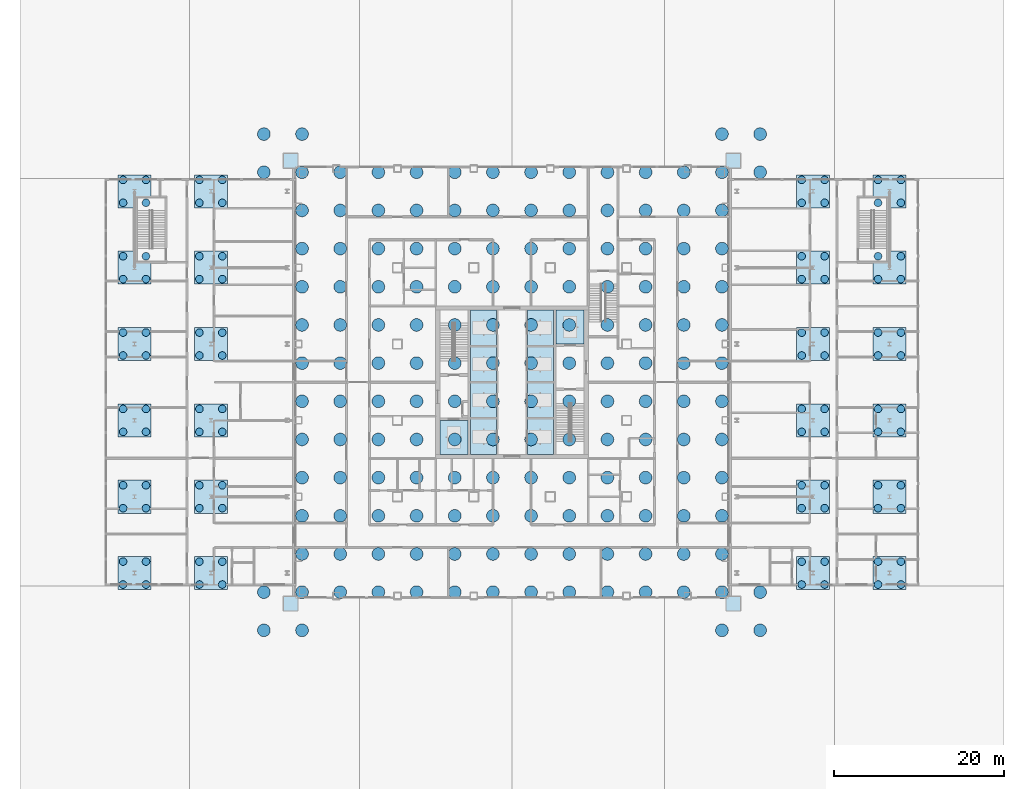
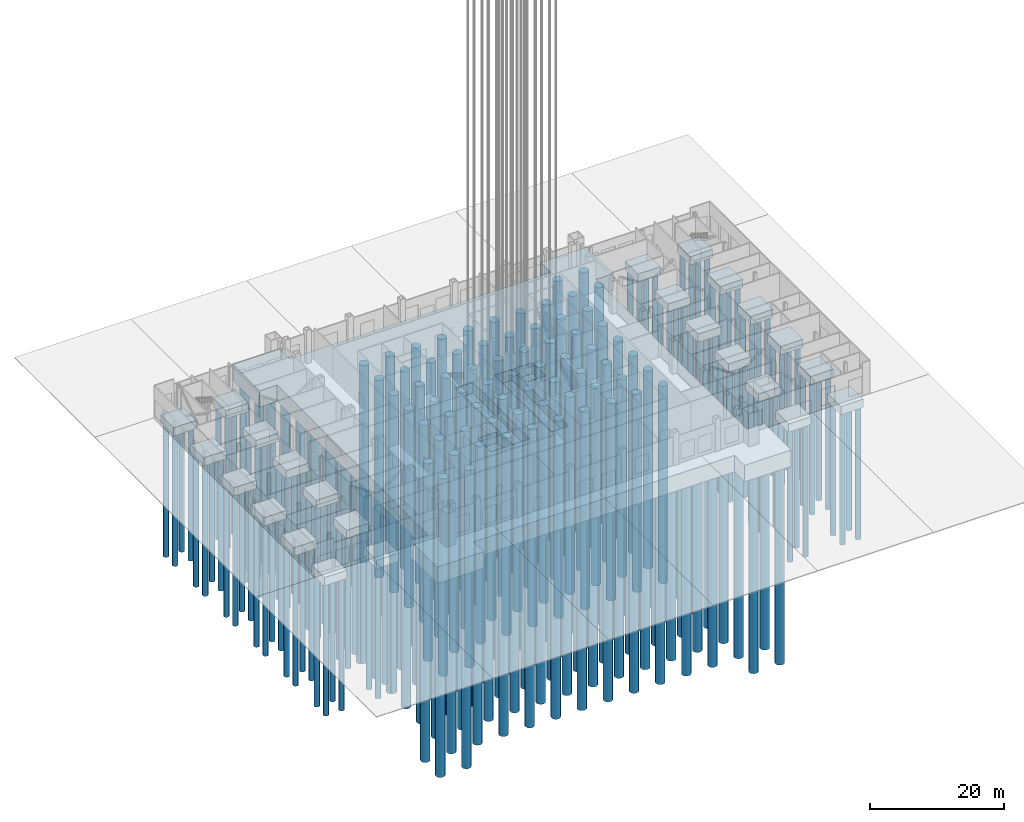
# One storey, part 1 of 36: 252 piles, 29 footings.
"""IFC4 building model written with IfcOpenShell, lengths in metres."""

import ifcopenshell
import ifcopenshell.guid

model = None  # the IFC model being written
_history = None  # IfcOwnerHistory: only IFC2X3 demands one
_inside = {}  # id of a spatial element -> (the spatial element, [elements in it])
_under = {}  # id of a project, library or spatial element -> (it, [spatial elements below it])
_declared = {}  # id of a project -> (the project, [libraries it declares])
_typed = {}  # id of a type object -> (the type object, [elements of that type])
_made_of = {}  # id of a material, layer set ... -> (it, [elements and type objects made of it])


def new_model(schema):
    """Start an empty IFC model of exactly this schema.

    Asked for "IFC4X3", IfcOpenShell would pick the latest addendum, in which some entities
    have other attributes; the version numbers below select the first issue.
    IFC2X3 requires an IfcOwnerHistory on every rooted entity: one is made here for all.
    """
    global model, _history
    if schema == "IFC4X3":
        model = ifcopenshell.file(schema_version=(4, 3, 0, 0))
    else:
        model = ifcopenshell.file(schema=schema)
    _inside.clear()
    _under.clear()
    _declared.clear()
    _typed.clear()
    _made_of.clear()
    _history = None
    if model.schema == "IFC2X3":
        org = make("IfcOrganization", Name="unknown")
        user = make(
            "IfcPersonAndOrganization",
            ThePerson=make("IfcPerson", FamilyName="unknown"),
            TheOrganization=org,
        )
        app = make(
            "IfcApplication",
            ApplicationDeveloper=org,
            Version="unknown",
            ApplicationFullName="unknown",
            ApplicationIdentifier="unknown",
        )
        _history = make(
            "IfcOwnerHistory",
            OwningUser=user,
            OwningApplication=app,
            ChangeAction="ADDED",
            CreationDate=0,
        )
    return model


def make(cls, **values):
    """One entity of the class cls with the attributes given. An attribute that is None is left unset."""
    return model.create_entity(
        cls, **{name: value for name, value in values.items() if value is not None}
    )


def rooted(cls, **values):
    """An entity with a GlobalId (a new one), such as an element, a storey or a relation."""
    return make(cls, GlobalId=ifcopenshell.guid.new(), OwnerHistory=_history, **values)


def si_unit(unit_type, name, prefix=None):
    """IfcSIUnit, for example si_unit("LENGTHUNIT", "METRE", prefix="MILLI")."""
    return make("IfcSIUnit", UnitType=unit_type, Prefix=prefix, Name=name)


def assignment(units):
    """IfcUnitAssignment: the units of a project."""
    return None if units is None else make("IfcUnitAssignment", Units=units)


def point(xyz):
    """IfcCartesianPoint."""
    return None if xyz is None else make("IfcCartesianPoint", Coordinates=xyz)


def direction(xyz):
    """IfcDirection."""
    return None if xyz is None else make("IfcDirection", DirectionRatios=xyz)


def frame(location, z_axis=None, x_axis=None):
    """IfcAxis2Placement3D, a coordinate frame: its origin and axes. An axis left out is left unset."""
    return make(
        "IfcAxis2Placement3D",
        Location=point(location),
        Axis=direction(z_axis),
        RefDirection=direction(x_axis),
    )


def frame_2d(location, x_axis=None):
    """IfcAxis2Placement2D, a coordinate frame in the plane: its origin and x axis."""
    return make(
        "IfcAxis2Placement2D", Location=point(location), RefDirection=direction(x_axis)
    )


def origin():
    """The frame at (0, 0, 0) with its axes left unset."""
    return frame((0.0, 0.0, 0.0))


def origin_2d():
    """The frame at (0, 0) in the plane with its x axis left unset."""
    return frame_2d((0.0, 0.0))


def place(relative_to, where):
    """IfcLocalPlacement: puts the frame where relative to a parent placement (None: the world)."""
    return make(
        "IfcLocalPlacement", PlacementRelTo=relative_to, RelativePlacement=where
    )


def context(
    kind, dimensions, precision=None, world=None, true_north=None, identifier=None
):
    """IfcGeometricRepresentationContext, for example the 3D "Model" context."""
    return make(
        "IfcGeometricRepresentationContext",
        ContextIdentifier=identifier,
        ContextType=kind,
        CoordinateSpaceDimension=dimensions,
        Precision=precision,
        WorldCoordinateSystem=world,
        TrueNorth=true_north,
    )


def subcontext(parent, identifier, kind, view, scale=None):
    """IfcGeometricRepresentationSubContext, for example "Body" below "Model"."""
    return make(
        "IfcGeometricRepresentationSubContext",
        ContextIdentifier=identifier,
        ContextType=kind,
        ParentContext=parent,
        TargetScale=scale,
        TargetView=view,
    )


def project(units=None, contexts=None):
    """IfcProject with its units and contexts."""
    return rooted(
        "IfcProject",
        Name="project",
        RepresentationContexts=contexts,
        UnitsInContext=assignment(units),
    )


def spatial(cls, under=None, at=None, **own):
    """A site, building, storey or space (cls), placed at a placement, below another one or the project."""
    s = rooted(cls, ObjectPlacement=at, **own)
    if under is not None:
        _under.setdefault(under.id(), (under, []))[1].append(s)
    return s


def polyline(points):
    """IfcPolyline through the points."""
    return make("IfcPolyline", Points=[point(p) for p in points])


def profile(cls, at=None, kind="AREA", **sizes):
    """A parametric profile (cls). Its sizes go by their IFC names, for example OverallWidth=200.0."""
    return make(cls, ProfileType=kind, Position=at, **sizes)


def rectangle(**sizes):
    """IfcRectangleProfileDef."""
    return profile("IfcRectangleProfileDef", **sizes)


def circle(**sizes):
    """IfcCircleProfileDef."""
    return profile("IfcCircleProfileDef", **sizes)


def outline(outer, holes=None, kind="AREA"):
    """IfcArbitraryClosedProfileDef: a profile drawn as a closed curve; with holes, ...WithVoids."""
    if holes is None:
        return make("IfcArbitraryClosedProfileDef", ProfileType=kind, OuterCurve=outer)
    return make(
        "IfcArbitraryProfileDefWithVoids",
        ProfileType=kind,
        OuterCurve=outer,
        InnerCurves=holes,
    )


def extrude(swept, where, along, depth):
    """IfcExtrudedAreaSolid: the profile swept, set in the frame where, extruded along a direction by depth."""
    return make(
        "IfcExtrudedAreaSolid",
        SweptArea=swept,
        Position=where,
        ExtrudedDirection=direction(along),
        Depth=depth,
    )


def shape(context_of_items, identifier, shape_type, items):
    """IfcShapeRepresentation: the items that make up one representation, for example the "Body"."""
    return make(
        "IfcShapeRepresentation",
        ContextOfItems=context_of_items,
        RepresentationIdentifier=identifier,
        RepresentationType=shape_type,
        Items=items,
    )


def material(Name=None, Category=None):
    """IfcMaterial."""
    return make("IfcMaterial", Name=Name, Category=Category)


def layer(
    of_material, thickness, ventilated=None, Name=None, Category=None, Priority=None
):
    """IfcMaterialLayer: one layer of a wall or slab, of a material (None: an air gap)."""
    return make(
        "IfcMaterialLayer",
        Material=of_material,
        LayerThickness=thickness,
        IsVentilated=ventilated,
        Name=Name,
        Category=Category,
        Priority=Priority,
    )


def layer_set(layers, Name=None):
    """IfcMaterialLayerSet."""
    return make("IfcMaterialLayerSet", MaterialLayers=layers, LayerSetName=Name)


def material_profile(
    of_material, cross_section, Name=None, Category=None, Priority=None
):
    """IfcMaterialProfile: a cross section and its material."""
    return make(
        "IfcMaterialProfile",
        Name=Name,
        Material=of_material,
        Profile=cross_section,
        Priority=Priority,
        Category=Category,
    )


def profile_set(profiles, Name=None, composite=None):
    """IfcMaterialProfileSet."""
    return make(
        "IfcMaterialProfileSet",
        Name=Name,
        MaterialProfiles=profiles,
        CompositeProfile=composite,
    )


def made_of(thing, what):
    """Note that an element or type object is made of a material, layer set ...; save() writes the relation."""
    if what is not None:
        _made_of.setdefault(what.id(), (what, []))[1].append(thing)
    return thing


def type_object(cls, material=None, **own):
    """A type object (cls), such as IfcWallType, which elements share."""
    return made_of(rooted(cls, **own), material)


def element(
    cls,
    number,
    at=None,
    inside=None,
    cuts=None,
    type_object=None,
    material=None,
    context=None,
    identifier="Body",
    shape_type=None,
    held_by="IfcProductDefinitionShape",
    body=None,
    shapes=None,
    **own,
):
    """One element of the class cls, such as IfcWall. Its Tag is "e" and its number.

    at: its placement. inside: the storey or other place that contains it. cuts: it is an
    opening in that element (IfcRelVoidsElement). A single representation is given by context,
    identifier, shape_type and body (its items); several are given by shapes. held_by: the class
    of the entity that holds the representations. save() writes the other relations.
    """
    e = rooted(cls, Tag="e%d" % number, ObjectPlacement=at, **own)
    if body is not None:
        shapes = [shape(context, identifier, shape_type, body)]
    if shapes is not None:
        e.Representation = make(held_by, Representations=shapes)
    if inside is not None:
        _inside.setdefault(inside.id(), (inside, []))[1].append(e)
    if cuts is not None:
        rooted(
            "IfcRelVoidsElement", RelatingBuildingElement=cuts, RelatedOpeningElement=e
        )
    if type_object is not None:
        _typed.setdefault(type_object.id(), (type_object, []))[1].append(e)
    return made_of(e, material)


def aggregate(whole, parts):
    """IfcRelAggregates: a whole, such as a stair, and the parts it consists of."""
    return rooted("IfcRelAggregates", RelatingObject=whole, RelatedObjects=parts)


def save(model, path):
    """Write the relations noted so far, then the file.

    IfcRelAggregates (storeys below a building ...), IfcRelContainedInSpatialStructure (elements
    in a storey), IfcRelDefinesByType, IfcRelAssociatesMaterial and IfcRelDeclares: one each for
    every whole, place, type object, material and project.
    """
    for whole, parts in _under.values():
        aggregate(whole, parts)
    for where, things in _inside.values():
        rooted(
            "IfcRelContainedInSpatialStructure",
            RelatedElements=things,
            RelatingStructure=where,
        )
    for kind, things in _typed.values():
        rooted("IfcRelDefinesByType", RelatedObjects=things, RelatingType=kind)
    for what, things in _made_of.values():
        rooted("IfcRelAssociatesMaterial", RelatedObjects=things, RelatingMaterial=what)
    for by, libraries in _declared.values():
        rooted("IfcRelDeclares", RelatingContext=by, RelatedDefinitions=libraries)
    model.write(path)


model = new_model("IFC4")

# Units and contexts
model_context = context("Model", 3, precision=1e-05, world=origin(), true_north=direction((0.0, 1.0)))
body_context = subcontext(model_context, "Body", "Model", "MODEL_VIEW")
ifc_project = project(units=[si_unit("LENGTHUNIT", "METRE"), si_unit("AREAUNIT", "SQUARE_METRE"), si_unit("VOLUMEUNIT", "CUBIC_METRE"), si_unit("PLANEANGLEUNIT", "RADIAN"), si_unit("MASSUNIT", "GRAM", prefix="KILO")], contexts=[model_context])

# Site, building, storey
site_placement = place(None, origin())
site = spatial("IfcSite", under=ifc_project, at=site_placement, CompositionType="ELEMENT")
building_placement = place(site_placement, origin())
building = spatial("IfcBuilding", under=site, at=building_placement, Name="Malebo Sky Hospital", CompositionType="ELEMENT")
storey_placement = place(building_placement, origin())
storey = spatial("IfcBuildingStorey", under=building, at=storey_placement, Name="L00", CompositionType="ELEMENT", Elevation=0.0)

# Piles
ifc_material_1 = material(Name="Concrete C35/45", Category="concrete")
ifc_material_profile_1 = material_profile(ifc_material_1, circle(Radius=0.75, at=origin_2d()), Name="BP 1500")
ifc_profile_set_1 = profile_set([ifc_material_profile_1], Name="Concrete C35/45")
pile_type_1 = type_object("IfcPileType", Name="BORED PILE 1500", PredefinedType="BORED", material=ifc_profile_set_1)
for number, where, z_axis, x_axis, name in (
    (1, (35.25, 37.25, -3.25), (0.0, 0.0, -1.0), (1.0, 0.0, 0.0), "Raft pile 1"),
    (2, (39.75, 37.25, -3.25), (0.0, 0.0, -1.0), (1.0, 0.0, 0.0), "Raft pile 2"),
    (3, (44.25, 37.25, -3.25), (0.0, 0.0, -1.0), (1.0, 0.0, 0.0), "Raft pile 3"),
    (4, (48.75, 37.25, -3.25), (0.0, 0.0, -1.0), (1.0, 0.0, 0.0), "Raft pile 4"),
    (5, (53.25, 37.25, -3.25), (0.0, 0.0, -1.0), (1.0, 0.0, 0.0), "Raft pile 5"),
    (6, (57.75, 37.25, -3.25), (0.0, 0.0, -1.0), (1.0, 0.0, 0.0), "Raft pile 6"),
    (7, (62.25, 37.25, -3.25), (0.0, 0.0, -1.0), (1.0, 0.0, 0.0), "Raft pile 7"),
    (8, (66.75, 37.25, -3.25), (0.0, 0.0, -1.0), (1.0, 0.0, 0.0), "Raft pile 8"),
    (9, (71.25, 37.25, -3.25), (0.0, 0.0, -1.0), (1.0, 0.0, 0.0), "Raft pile 9"),
    (10, (75.75, 37.25, -3.25), (0.0, 0.0, -1.0), (1.0, 0.0, 0.0), "Raft pile 10"),
    (11, (80.25, 37.25, -3.25), (0.0, 0.0, -1.0), (1.0, 0.0, 0.0), "Raft pile 11"),
    (12, (84.75, 37.25, -3.25), (0.0, 0.0, -1.0), (1.0, 0.0, 0.0), "Raft pile 12"),
    (13, (35.25, 41.75, -3.25), (0.0, 0.0, -1.0), (1.0, 0.0, 0.0), "Raft pile 13"),
    (14, (39.75, 41.75, -3.25), (0.0, 0.0, -1.0), (1.0, 0.0, 0.0), "Raft pile 14"),
    (15, (44.25, 41.75, -3.25), (0.0, 0.0, -1.0), (1.0, 0.0, 0.0), "Raft pile 15"),
    (16, (48.75, 41.75, -3.25), (0.0, 0.0, -1.0), (1.0, 0.0, 0.0), "Raft pile 16"),
    (17, (53.25, 41.75, -3.25), (0.0, 0.0, -1.0), (1.0, 0.0, 0.0), "Raft pile 17"),
    (18, (57.75, 41.75, -3.25), (0.0, 0.0, -1.0), (1.0, 0.0, 0.0), "Raft pile 18"),
    (19, (62.25, 41.75, -3.25), (0.0, 0.0, -1.0), (1.0, 0.0, 0.0), "Raft pile 19"),
    (20, (66.75, 41.75, -3.25), (0.0, 0.0, -1.0), (1.0, 0.0, 0.0), "Raft pile 20"),
    (21, (71.25, 41.75, -3.25), (0.0, 0.0, -1.0), (1.0, 0.0, 0.0), "Raft pile 21"),
    (22, (75.75, 41.75, -3.25), (0.0, 0.0, -1.0), (1.0, 0.0, 0.0), "Raft pile 22"),
    (23, (80.25, 41.75, -3.25), (0.0, 0.0, -1.0), (1.0, 0.0, 0.0), "Raft pile 23"),
    (24, (84.75, 41.75, -3.25), (0.0, 0.0, -1.0), (1.0, 0.0, 0.0), "Raft pile 24"),
    (25, (35.25, 46.25, -3.25), (0.0, 0.0, -1.0), (1.0, 0.0, 0.0), "Raft pile 25"),
    (26, (39.75, 46.25, -3.25), (0.0, 0.0, -1.0), (1.0, 0.0, 0.0), "Raft pile 26"),
    (27, (44.25, 46.25, -3.25), (0.0, 0.0, -1.0), (1.0, 0.0, 0.0), "Raft pile 27"),
    (28, (48.75, 46.25, -3.25), (0.0, 0.0, -1.0), (1.0, 0.0, 0.0), "Raft pile 28"),
    (29, (53.25, 46.25, -3.25), (0.0, 0.0, -1.0), (1.0, 0.0, 0.0), "Raft pile 29"),
    (30, (57.75, 46.25, -3.25), (0.0, 0.0, -1.0), (1.0, 0.0, 0.0), "Raft pile 30"),
    (31, (62.25, 46.25, -3.25), (0.0, 0.0, -1.0), (1.0, 0.0, 0.0), "Raft pile 31"),
    (32, (66.75, 46.25, -3.25), (0.0, 0.0, -1.0), (1.0, 0.0, 0.0), "Raft pile 32"),
    (33, (71.25, 46.25, -3.25), (0.0, 0.0, -1.0), (1.0, 0.0, 0.0), "Raft pile 33"),
    (34, (75.75, 46.25, -3.25), (0.0, 0.0, -1.0), (1.0, 0.0, 0.0), "Raft pile 34"),
    (35, (80.25, 46.25, -3.25), (0.0, 0.0, -1.0), (1.0, 0.0, 0.0), "Raft pile 35"),
    (36, (84.75, 46.25, -3.25), (0.0, 0.0, -1.0), (1.0, 0.0, 0.0), "Raft pile 36"),
    (37, (35.25, 50.75, -3.25), (0.0, 0.0, -1.0), (1.0, 0.0, 0.0), "Raft pile 37"),
    (38, (39.75, 50.75, -3.25), (0.0, 0.0, -1.0), (1.0, 0.0, 0.0), "Raft pile 38"),
    (39, (44.25, 50.75, -3.25), (0.0, 0.0, -1.0), (1.0, 0.0, 0.0), "Raft pile 39"),
    (40, (48.75, 50.75, -3.25), (0.0, 0.0, -1.0), (1.0, 0.0, 0.0), "Raft pile 40"),
    (41, (53.25, 50.75, -3.25), (0.0, 0.0, -1.0), (1.0, 0.0, 0.0), "Raft pile 41"),
    (42, (57.75, 50.75, -3.25), (0.0, 0.0, -1.0), (1.0, 0.0, 0.0), "Raft pile 42"),
    (43, (62.25, 50.75, -3.25), (0.0, 0.0, -1.0), (1.0, 0.0, 0.0), "Raft pile 43"),
    (44, (66.75, 50.75, -3.25), (0.0, 0.0, -1.0), (1.0, 0.0, 0.0), "Raft pile 44"),
    (45, (71.25, 50.75, -3.25), (0.0, 0.0, -1.0), (1.0, 0.0, 0.0), "Raft pile 45"),
    (46, (75.75, 50.75, -3.25), (0.0, 0.0, -1.0), (1.0, 0.0, 0.0), "Raft pile 46"),
    (47, (80.25, 50.75, -3.25), (0.0, 0.0, -1.0), (1.0, 0.0, 0.0), "Raft pile 47"),
    (48, (84.75, 50.75, -3.25), (0.0, 0.0, -1.0), (1.0, 0.0, 0.0), "Raft pile 48"),
    (49, (35.25, 55.25, -3.25), (0.0, 0.0, -1.0), (1.0, 0.0, 0.0), "Raft pile 49"),
    (50, (39.75, 55.25, -3.25), (0.0, 0.0, -1.0), (1.0, 0.0, 0.0), "Raft pile 50"),
    (51, (44.25, 55.25, -3.25), (0.0, 0.0, -1.0), (1.0, 0.0, 0.0), "Raft pile 51"),
    (52, (48.75, 55.25, -3.25), (0.0, 0.0, -1.0), (1.0, 0.0, 0.0), "Raft pile 52"),
    (53, (53.25, 55.25, -3.25), (0.0, 0.0, -1.0), (1.0, 0.0, 0.0), "Raft pile 53"),
    (54, (57.75, 55.25, -3.25), (0.0, 0.0, -1.0), (1.0, 0.0, 0.0), "Raft pile 54"),
    (55, (62.25, 55.25, -3.25), (0.0, 0.0, -1.0), (1.0, 0.0, 0.0), "Raft pile 55"),
    (56, (66.75, 55.25, -3.25), (0.0, 0.0, -1.0), (1.0, 0.0, 0.0), "Raft pile 56"),
    (57, (71.25, 55.25, -3.25), (0.0, 0.0, -1.0), (1.0, 0.0, 0.0), "Raft pile 57"),
    (58, (75.75, 55.25, -3.25), (0.0, 0.0, -1.0), (1.0, 0.0, 0.0), "Raft pile 58"),
    (59, (80.25, 55.25, -3.25), (0.0, 0.0, -1.0), (1.0, 0.0, 0.0), "Raft pile 59"),
    (60, (84.75, 55.25, -3.25), (0.0, 0.0, -1.0), (1.0, 0.0, 0.0), "Raft pile 60"),
    (61, (35.25, 59.75, -3.25), (0.0, 0.0, -1.0), (1.0, 0.0, 0.0), "Raft pile 61"),
    (62, (39.75, 59.75, -3.25), (0.0, 0.0, -1.0), (1.0, 0.0, 0.0), "Raft pile 62"),
    (63, (44.25, 59.75, -3.25), (0.0, 0.0, -1.0), (1.0, 0.0, 0.0), "Raft pile 63"),
    (64, (48.75, 59.75, -3.25), (0.0, 0.0, -1.0), (1.0, 0.0, 0.0), "Raft pile 64"),
    (65, (53.25, 59.75, -3.25), (0.0, 0.0, -1.0), (1.0, 0.0, 0.0), "Raft pile 65"),
    (66, (57.75, 59.75, -3.25), (0.0, 0.0, -1.0), (1.0, 0.0, 0.0), "Raft pile 66"),
    (67, (62.25, 59.75, -3.25), (0.0, 0.0, -1.0), (1.0, 0.0, 0.0), "Raft pile 67"),
    (68, (66.75, 59.75, -3.25), (0.0, 0.0, -1.0), (1.0, 0.0, 0.0), "Raft pile 68"),
    (69, (71.25, 59.75, -3.25), (0.0, 0.0, -1.0), (1.0, 0.0, 0.0), "Raft pile 69"),
    (70, (75.75, 59.75, -3.25), (0.0, 0.0, -1.0), (1.0, 0.0, 0.0), "Raft pile 70"),
    (71, (80.25, 59.75, -3.25), (0.0, 0.0, -1.0), (1.0, 0.0, 0.0), "Raft pile 71"),
    (72, (84.75, 59.75, -3.25), (0.0, 0.0, -1.0), (1.0, 0.0, 0.0), "Raft pile 72"),
    (73, (35.25, 64.25, -3.25), (0.0, 0.0, -1.0), (1.0, 0.0, 0.0), "Raft pile 73"),
    (74, (39.75, 64.25, -3.25), (0.0, 0.0, -1.0), (1.0, 0.0, 0.0), "Raft pile 74"),
    (75, (44.25, 64.25, -3.25), (0.0, 0.0, -1.0), (1.0, 0.0, 0.0), "Raft pile 75"),
    (76, (48.75, 64.25, -3.25), (0.0, 0.0, -1.0), (1.0, 0.0, 0.0), "Raft pile 76"),
    (77, (53.25, 64.25, -3.25), (0.0, 0.0, -1.0), (1.0, 0.0, 0.0), "Raft pile 77"),
    (78, (57.75, 64.25, -3.25), (0.0, 0.0, -1.0), (1.0, 0.0, 0.0), "Raft pile 78"),
    (79, (62.25, 64.25, -3.25), (0.0, 0.0, -1.0), (1.0, 0.0, 0.0), "Raft pile 79"),
    (80, (66.75, 64.25, -3.25), (0.0, 0.0, -1.0), (1.0, 0.0, 0.0), "Raft pile 80"),
    (81, (71.25, 64.25, -3.25), (0.0, 0.0, -1.0), (1.0, 0.0, 0.0), "Raft pile 81"),
    (82, (75.75, 64.25, -3.25), (0.0, 0.0, -1.0), (1.0, 0.0, 0.0), "Raft pile 82"),
    (83, (80.25, 64.25, -3.25), (0.0, 0.0, -1.0), (1.0, 0.0, 0.0), "Raft pile 83"),
    (84, (84.75, 64.25, -3.25), (0.0, 0.0, -1.0), (1.0, 0.0, 0.0), "Raft pile 84"),
    (85, (35.25, 68.75, -3.25), (0.0, 0.0, -1.0), (1.0, 0.0, 0.0), "Raft pile 85"),
    (86, (39.75, 68.75, -3.25), (0.0, 0.0, -1.0), (1.0, 0.0, 0.0), "Raft pile 86"),
    (87, (44.25, 68.75, -3.25), (0.0, 0.0, -1.0), (1.0, 0.0, 0.0), "Raft pile 87"),
    (88, (48.75, 68.75, -3.25), (0.0, 0.0, -1.0), (1.0, 0.0, 0.0), "Raft pile 88"),
    (89, (53.25, 68.75, -3.25), (0.0, 0.0, -1.0), (1.0, 0.0, 0.0), "Raft pile 89"),
    (90, (57.75, 68.75, -3.25), (0.0, 0.0, -1.0), (1.0, 0.0, 0.0), "Raft pile 90"),
    (91, (62.25, 68.75, -3.25), (0.0, 0.0, -1.0), (1.0, 0.0, 0.0), "Raft pile 91"),
    (92, (66.75, 68.75, -3.25), (0.0, 0.0, -1.0), (1.0, 0.0, 0.0), "Raft pile 92"),
    (93, (71.25, 68.75, -3.25), (0.0, 0.0, -1.0), (1.0, 0.0, 0.0), "Raft pile 93"),
    (94, (75.75, 68.75, -3.25), (0.0, 0.0, -1.0), (1.0, 0.0, 0.0), "Raft pile 94"),
    (95, (80.25, 68.75, -3.25), (0.0, 0.0, -1.0), (1.0, 0.0, 0.0), "Raft pile 95"),
    (96, (84.75, 68.75, -3.25), (0.0, 0.0, -1.0), (1.0, 0.0, 0.0), "Raft pile 96"),
    (97, (35.25, 73.25, -3.25), (0.0, 0.0, -1.0), (1.0, 0.0, 0.0), "Raft pile 97"),
    (98, (39.75, 73.25, -3.25), (0.0, 0.0, -1.0), (1.0, 0.0, 0.0), "Raft pile 98"),
    (99, (44.25, 73.25, -3.25), (0.0, 0.0, -1.0), (1.0, 0.0, 0.0), "Raft pile 99"),
    (100, (48.75, 73.25, -3.25), (0.0, 0.0, -1.0), (1.0, 0.0, 0.0), "Raft pile 100"),
    (101, (53.25, 73.25, -3.25), (0.0, 0.0, -1.0), (1.0, 0.0, 0.0), "Raft pile 101"),
    (102, (57.75, 73.25, -3.25), (0.0, 0.0, -1.0), (1.0, 0.0, 0.0), "Raft pile 102"),
    (103, (62.25, 73.25, -3.25), (0.0, 0.0, -1.0), (1.0, 0.0, 0.0), "Raft pile 103"),
    (104, (66.75, 73.25, -3.25), (0.0, 0.0, -1.0), (1.0, 0.0, 0.0), "Raft pile 104"),
    (105, (71.25, 73.25, -3.25), (0.0, 0.0, -1.0), (1.0, 0.0, 0.0), "Raft pile 105"),
    (106, (75.75, 73.25, -3.25), (0.0, 0.0, -1.0), (1.0, 0.0, 0.0), "Raft pile 106"),
    (107, (80.25, 73.25, -3.25), (0.0, 0.0, -1.0), (1.0, 0.0, 0.0), "Raft pile 107"),
    (108, (84.75, 73.25, -3.25), (0.0, 0.0, -1.0), (1.0, 0.0, 0.0), "Raft pile 108"),
    (109, (35.25, 77.75, -3.25), (0.0, 0.0, -1.0), (1.0, 0.0, 0.0), "Raft pile 109"),
    (110, (39.75, 77.75, -3.25), (0.0, 0.0, -1.0), (1.0, 0.0, 0.0), "Raft pile 110"),
    (111, (44.25, 77.75, -3.25), (0.0, 0.0, -1.0), (1.0, 0.0, 0.0), "Raft pile 111"),
    (112, (48.75, 77.75, -3.25), (0.0, 0.0, -1.0), (1.0, 0.0, 0.0), "Raft pile 112"),
    (113, (53.25, 77.75, -3.25), (0.0, 0.0, -1.0), (1.0, 0.0, 0.0), "Raft pile 113"),
    (114, (57.75, 77.75, -3.25), (0.0, 0.0, -1.0), (1.0, 0.0, 0.0), "Raft pile 114"),
    (115, (62.25, 77.75, -3.25), (0.0, 0.0, -1.0), (1.0, 0.0, 0.0), "Raft pile 115"),
    (116, (66.75, 77.75, -3.25), (0.0, 0.0, -1.0), (1.0, 0.0, 0.0), "Raft pile 116"),
    (117, (71.25, 77.75, -3.25), (0.0, 0.0, -1.0), (1.0, 0.0, 0.0), "Raft pile 117"),
    (118, (75.75, 77.75, -3.25), (0.0, 0.0, -1.0), (1.0, 0.0, 0.0), "Raft pile 118"),
    (119, (80.25, 77.75, -3.25), (0.0, 0.0, -1.0), (1.0, 0.0, 0.0), "Raft pile 119"),
    (120, (84.75, 77.75, -3.25), (0.0, 0.0, -1.0), (1.0, 0.0, 0.0), "Raft pile 120"),
    (121, (35.25, 82.25, -3.25), (0.0, 0.0, -1.0), (1.0, 0.0, 0.0), "Raft pile 121"),
    (122, (39.75, 82.25, -3.25), (0.0, 0.0, -1.0), (1.0, 0.0, 0.0), "Raft pile 122"),
    (123, (44.25, 82.25, -3.25), (0.0, 0.0, -1.0), (1.0, 0.0, 0.0), "Raft pile 123"),
    (124, (48.75, 82.25, -3.25), (0.0, 0.0, -1.0), (1.0, 0.0, 0.0), "Raft pile 124"),
    (125, (53.25, 82.25, -3.25), (0.0, 0.0, -1.0), (1.0, 0.0, 0.0), "Raft pile 125"),
    (126, (57.75, 82.25, -3.25), (0.0, 0.0, -1.0), (1.0, 0.0, 0.0), "Raft pile 126"),
    (127, (62.25, 82.25, -3.25), (0.0, 0.0, -1.0), (1.0, 0.0, 0.0), "Raft pile 127"),
    (128, (66.75, 82.25, -3.25), (0.0, 0.0, -1.0), (1.0, 0.0, 0.0), "Raft pile 128"),
    (129, (71.25, 82.25, -3.25), (0.0, 0.0, -1.0), (1.0, 0.0, 0.0), "Raft pile 129"),
    (130, (75.75, 82.25, -3.25), (0.0, 0.0, -1.0), (1.0, 0.0, 0.0), "Raft pile 130"),
    (131, (80.25, 82.25, -3.25), (0.0, 0.0, -1.0), (1.0, 0.0, 0.0), "Raft pile 131"),
    (132, (84.75, 82.25, -3.25), (0.0, 0.0, -1.0), (1.0, 0.0, 0.0), "Raft pile 132"),
    (133, (35.25, 86.75, -3.25), (0.0, 0.0, -1.0), (1.0, 0.0, 0.0), "Raft pile 133"),
    (134, (39.75, 86.75, -3.25), (0.0, 0.0, -1.0), (1.0, 0.0, 0.0), "Raft pile 134"),
    (135, (44.25, 86.75, -3.25), (0.0, 0.0, -1.0), (1.0, 0.0, 0.0), "Raft pile 135"),
    (136, (48.75, 86.75, -3.25), (0.0, 0.0, -1.0), (1.0, 0.0, 0.0), "Raft pile 136"),
    (137, (53.25, 86.75, -3.25), (0.0, 0.0, -1.0), (1.0, 0.0, 0.0), "Raft pile 137"),
    (138, (57.75, 86.75, -3.25), (0.0, 0.0, -1.0), (1.0, 0.0, 0.0), "Raft pile 138"),
    (139, (62.25, 86.75, -3.25), (0.0, 0.0, -1.0), (1.0, 0.0, 0.0), "Raft pile 139"),
    (140, (66.75, 86.75, -3.25), (0.0, 0.0, -1.0), (1.0, 0.0, 0.0), "Raft pile 140"),
    (141, (71.25, 86.75, -3.25), (0.0, 0.0, -1.0), (1.0, 0.0, 0.0), "Raft pile 141"),
    (142, (75.75, 86.75, -3.25), (0.0, 0.0, -1.0), (1.0, 0.0, 0.0), "Raft pile 142"),
    (143, (80.25, 86.75, -3.25), (0.0, 0.0, -1.0), (1.0, 0.0, 0.0), "Raft pile 143"),
    (144, (84.75, 86.75, -3.25), (0.0, 0.0, -1.0), (1.0, 0.0, 0.0), "Raft pile 144"),
    (145, (30.75, 32.75, -3.25), (0.0, 0.0, -1.0), (1.0, 0.0, 0.0), "Raft pile 145"),
    (146, (30.75, 37.25, -3.25), (0.0, 0.0, -1.0), (1.0, 0.0, 0.0), "Raft pile 146"),
    (147, (35.25, 32.75, -3.25), (0.0, 0.0, -1.0), (1.0, 0.0, 0.0), "Raft pile 147"),
    (148, (89.25, 32.75, -3.25), (0.0, 0.0, -1.0), (1.0, 0.0, 0.0), "Raft pile 148"),
    (149, (89.25, 37.25, -3.25), (0.0, 0.0, -1.0), (1.0, 0.0, 0.0), "Raft pile 149"),
    (150, (84.75, 32.75, -3.25), (0.0, 0.0, -1.0), (1.0, 0.0, 0.0), "Raft pile 150"),
    (151, (89.25, 91.25, -3.25), (0.0, 0.0, -1.0), (1.0, 0.0, 0.0), "Raft pile 151"),
    (152, (89.25, 86.75, -3.25), (0.0, 0.0, -1.0), (1.0, 0.0, 0.0), "Raft pile 152"),
    (153, (84.75, 91.25, -3.25), (0.0, 0.0, -1.0), (1.0, 0.0, 0.0), "Raft pile 153"),
    (154, (30.75, 91.25, -3.25), (0.0, 0.0, -1.0), (1.0, 0.0, 0.0), "Raft pile 154"),
    (155, (30.75, 86.75, -3.25), (0.0, 0.0, -1.0), (1.0, 0.0, 0.0), "Raft pile 155"),
    (156, (35.25, 91.25, -3.25), (0.0, 0.0, -1.0), (1.0, 0.0, 0.0), "Raft pile 156"),
):
    element("IfcPile", number, at=place(storey_placement, frame(where, z_axis=z_axis, x_axis=x_axis)), inside=storey, type_object=pile_type_1, Name=name, PredefinedType="BORED", context=body_context, shape_type="SweptSolid", body=[
        extrude(circle(Radius=0.75, at=origin_2d()), origin(), (0.0, 0.0, 1.0), 36.0),
    ])
ifc_material_profile_2 = material_profile(ifc_material_1, circle(Radius=0.449951171875, at=origin_2d()), Name="BP 900")
ifc_profile_set_2 = profile_set([ifc_material_profile_2], Name="Concrete C35/45")
pile_type_2 = type_object("IfcPileType", Name="BORED PILE 900", PredefinedType="BORED", material=ifc_profile_set_2)
for number, where, z_axis, x_axis, name in (
    (157, (14.14990234375, 38.14990234375, -1.75), (0.0, 0.0, -1.0), (1.0, 0.0, 0.0), "Cap pile 01-1"),
    (158, (16.85009765625, 38.14990234375, -1.75), (0.0, 0.0, -1.0), (1.0, 0.0, 0.0), "Cap pile 01-2"),
    (159, (16.85009765625, 40.85009765625, -1.75), (0.0, 0.0, -1.0), (1.0, 0.0, 0.0), "Cap pile 01-3"),
    (160, (14.14990234375, 40.85009765625, -1.75), (0.0, 0.0, -1.0), (1.0, 0.0, 0.0), "Cap pile 01-4"),
    (161, (14.14990234375, 47.14990234375, -1.75), (0.0, 0.0, -1.0), (1.0, 0.0, 0.0), "Cap pile 02-1"),
    (162, (16.85009765625, 47.14990234375, -1.75), (0.0, 0.0, -1.0), (1.0, 0.0, 0.0), "Cap pile 02-2"),
    (163, (16.85009765625, 49.85009765625, -1.75), (0.0, 0.0, -1.0), (1.0, 0.0, 0.0), "Cap pile 02-3"),
    (164, (14.14990234375, 49.85009765625, -1.75), (0.0, 0.0, -1.0), (1.0, 0.0, 0.0), "Cap pile 02-4"),
    (165, (14.14990234375, 56.14990234375, -1.75), (0.0, 0.0, -1.0), (1.0, 0.0, 0.0), "Cap pile 03-1"),
    (166, (16.85009765625, 56.14990234375, -1.75), (0.0, 0.0, -1.0), (1.0, 0.0, 0.0), "Cap pile 03-2"),
    (167, (16.85009765625, 58.85009765625, -1.75), (0.0, 0.0, -1.0), (1.0, 0.0, 0.0), "Cap pile 03-3"),
    (168, (14.14990234375, 58.85009765625, -1.75), (0.0, 0.0, -1.0), (1.0, 0.0, 0.0), "Cap pile 03-4"),
    (169, (14.14990234375, 65.14990234375, -1.75), (0.0, 0.0, -1.0), (1.0, 0.0, 0.0), "Cap pile 04-1"),
    (170, (16.85009765625, 65.14990234375, -1.75), (0.0, 0.0, -1.0), (1.0, 0.0, 0.0), "Cap pile 04-2"),
    (171, (16.85009765625, 67.85009765625, -1.75), (0.0, 0.0, -1.0), (1.0, 0.0, 0.0), "Cap pile 04-3"),
    (172, (14.14990234375, 67.85009765625, -1.75), (0.0, 0.0, -1.0), (1.0, 0.0, 0.0), "Cap pile 04-4"),
    (173, (14.14990234375, 74.14990234375, -1.75), (0.0, 0.0, -1.0), (1.0, 0.0, 0.0), "Cap pile 05-1"),
    (174, (16.85009765625, 74.14990234375, -1.75), (0.0, 0.0, -1.0), (1.0, 0.0, 0.0), "Cap pile 05-2"),
    (175, (16.85009765625, 76.85009765625, -1.75), (0.0, 0.0, -1.0), (1.0, 0.0, 0.0), "Cap pile 05-3"),
    (176, (14.14990234375, 76.85009765625, -1.75), (0.0, 0.0, -1.0), (1.0, 0.0, 0.0), "Cap pile 05-4"),
    (177, (14.14990234375, 83.14990234375, -1.75), (0.0, 0.0, -1.0), (1.0, 0.0, 0.0), "Cap pile 06-1"),
    (178, (16.85009765625, 83.14990234375, -1.75), (0.0, 0.0, -1.0), (1.0, 0.0, 0.0), "Cap pile 06-2"),
    (179, (16.85009765625, 85.85009765625, -1.75), (0.0, 0.0, -1.0), (1.0, 0.0, 0.0), "Cap pile 06-3"),
    (180, (14.14990234375, 85.85009765625, -1.75), (0.0, 0.0, -1.0), (1.0, 0.0, 0.0), "Cap pile 06-4"),
    (181, (23.14990234375, 38.14990234375, -1.75), (0.0, 0.0, -1.0), (1.0, 0.0, 0.0), "Cap pile 07-1"),
    (182, (25.85009765625, 38.14990234375, -1.75), (0.0, 0.0, -1.0), (1.0, 0.0, 0.0), "Cap pile 07-2"),
    (183, (25.85009765625, 40.85009765625, -1.75), (0.0, 0.0, -1.0), (1.0, 0.0, 0.0), "Cap pile 07-3"),
    (184, (23.14990234375, 40.85009765625, -1.75), (0.0, 0.0, -1.0), (1.0, 0.0, 0.0), "Cap pile 07-4"),
    (185, (23.14990234375, 47.14990234375, -1.75), (0.0, 0.0, -1.0), (1.0, 0.0, 0.0), "Cap pile 08-1"),
    (186, (25.85009765625, 47.14990234375, -1.75), (0.0, 0.0, -1.0), (1.0, 0.0, 0.0), "Cap pile 08-2"),
    (187, (25.85009765625, 49.85009765625, -1.75), (0.0, 0.0, -1.0), (1.0, 0.0, 0.0), "Cap pile 08-3"),
    (188, (23.14990234375, 49.85009765625, -1.75), (0.0, 0.0, -1.0), (1.0, 0.0, 0.0), "Cap pile 08-4"),
    (189, (23.14990234375, 56.14990234375, -1.75), (0.0, 0.0, -1.0), (1.0, 0.0, 0.0), "Cap pile 09-1"),
    (190, (25.85009765625, 56.14990234375, -1.75), (0.0, 0.0, -1.0), (1.0, 0.0, 0.0), "Cap pile 09-2"),
    (191, (25.85009765625, 58.85009765625, -1.75), (0.0, 0.0, -1.0), (1.0, 0.0, 0.0), "Cap pile 09-3"),
    (192, (23.14990234375, 58.85009765625, -1.75), (0.0, 0.0, -1.0), (1.0, 0.0, 0.0), "Cap pile 09-4"),
    (193, (23.14990234375, 65.14990234375, -1.75), (0.0, 0.0, -1.0), (1.0, 0.0, 0.0), "Cap pile 10-1"),
    (194, (25.85009765625, 65.14990234375, -1.75), (0.0, 0.0, -1.0), (1.0, 0.0, 0.0), "Cap pile 10-2"),
    (195, (25.85009765625, 67.85009765625, -1.75), (0.0, 0.0, -1.0), (1.0, 0.0, 0.0), "Cap pile 10-3"),
    (196, (23.14990234375, 67.85009765625, -1.75), (0.0, 0.0, -1.0), (1.0, 0.0, 0.0), "Cap pile 10-4"),
    (197, (23.14990234375, 74.14990234375, -1.75), (0.0, 0.0, -1.0), (1.0, 0.0, 0.0), "Cap pile 11-1"),
    (198, (25.85009765625, 74.14990234375, -1.75), (0.0, 0.0, -1.0), (1.0, 0.0, 0.0), "Cap pile 11-2"),
    (199, (25.85009765625, 76.85009765625, -1.75), (0.0, 0.0, -1.0), (1.0, 0.0, 0.0), "Cap pile 11-3"),
    (200, (23.14990234375, 76.85009765625, -1.75), (0.0, 0.0, -1.0), (1.0, 0.0, 0.0), "Cap pile 11-4"),
    (201, (23.14990234375, 83.14990234375, -1.75), (0.0, 0.0, -1.0), (1.0, 0.0, 0.0), "Cap pile 12-1"),
    (202, (25.85009765625, 83.14990234375, -1.75), (0.0, 0.0, -1.0), (1.0, 0.0, 0.0), "Cap pile 12-2"),
    (203, (25.85009765625, 85.85009765625, -1.75), (0.0, 0.0, -1.0), (1.0, 0.0, 0.0), "Cap pile 12-3"),
    (204, (23.14990234375, 85.85009765625, -1.75), (0.0, 0.0, -1.0), (1.0, 0.0, 0.0), "Cap pile 12-4"),
    (205, (94.14990234375, 38.14990234375, -1.75), (0.0, 0.0, -1.0), (1.0, 0.0, 0.0), "Cap pile 13-1"),
    (206, (96.85009765625, 38.14990234375, -1.75), (0.0, 0.0, -1.0), (1.0, 0.0, 0.0), "Cap pile 13-2"),
    (207, (96.85009765625, 40.85009765625, -1.75), (0.0, 0.0, -1.0), (1.0, 0.0, 0.0), "Cap pile 13-3"),
    (208, (94.14990234375, 40.85009765625, -1.75), (0.0, 0.0, -1.0), (1.0, 0.0, 0.0), "Cap pile 13-4"),
    (209, (94.14990234375, 47.14990234375, -1.75), (0.0, 0.0, -1.0), (1.0, 0.0, 0.0), "Cap pile 14-1"),
    (210, (96.85009765625, 47.14990234375, -1.75), (0.0, 0.0, -1.0), (1.0, 0.0, 0.0), "Cap pile 14-2"),
    (211, (96.85009765625, 49.85009765625, -1.75), (0.0, 0.0, -1.0), (1.0, 0.0, 0.0), "Cap pile 14-3"),
    (212, (94.14990234375, 49.85009765625, -1.75), (0.0, 0.0, -1.0), (1.0, 0.0, 0.0), "Cap pile 14-4"),
    (213, (94.14990234375, 56.14990234375, -1.75), (0.0, 0.0, -1.0), (1.0, 0.0, 0.0), "Cap pile 15-1"),
    (214, (96.85009765625, 56.14990234375, -1.75), (0.0, 0.0, -1.0), (1.0, 0.0, 0.0), "Cap pile 15-2"),
    (215, (96.85009765625, 58.85009765625, -1.75), (0.0, 0.0, -1.0), (1.0, 0.0, 0.0), "Cap pile 15-3"),
    (216, (94.14990234375, 58.85009765625, -1.75), (0.0, 0.0, -1.0), (1.0, 0.0, 0.0), "Cap pile 15-4"),
    (217, (94.14990234375, 65.14990234375, -1.75), (0.0, 0.0, -1.0), (1.0, 0.0, 0.0), "Cap pile 16-1"),
    (218, (96.85009765625, 65.14990234375, -1.75), (0.0, 0.0, -1.0), (1.0, 0.0, 0.0), "Cap pile 16-2"),
    (219, (96.85009765625, 67.85009765625, -1.75), (0.0, 0.0, -1.0), (1.0, 0.0, 0.0), "Cap pile 16-3"),
    (220, (94.14990234375, 67.85009765625, -1.75), (0.0, 0.0, -1.0), (1.0, 0.0, 0.0), "Cap pile 16-4"),
    (221, (94.14990234375, 74.14990234375, -1.75), (0.0, 0.0, -1.0), (1.0, 0.0, 0.0), "Cap pile 17-1"),
    (222, (96.85009765625, 74.14990234375, -1.75), (0.0, 0.0, -1.0), (1.0, 0.0, 0.0), "Cap pile 17-2"),
    (223, (96.85009765625, 76.85009765625, -1.75), (0.0, 0.0, -1.0), (1.0, 0.0, 0.0), "Cap pile 17-3"),
    (224, (94.14990234375, 76.85009765625, -1.75), (0.0, 0.0, -1.0), (1.0, 0.0, 0.0), "Cap pile 17-4"),
    (225, (94.14990234375, 83.14990234375, -1.75), (0.0, 0.0, -1.0), (1.0, 0.0, 0.0), "Cap pile 18-1"),
    (226, (96.85009765625, 83.14990234375, -1.75), (0.0, 0.0, -1.0), (1.0, 0.0, 0.0), "Cap pile 18-2"),
    (227, (96.85009765625, 85.85009765625, -1.75), (0.0, 0.0, -1.0), (1.0, 0.0, 0.0), "Cap pile 18-3"),
    (228, (94.14990234375, 85.85009765625, -1.75), (0.0, 0.0, -1.0), (1.0, 0.0, 0.0), "Cap pile 18-4"),
    (229, (103.14990234375, 38.14990234375, -1.75), (0.0, 0.0, -1.0), (1.0, 0.0, 0.0), "Cap pile 19-1"),
    (230, (105.85009765625, 38.14990234375, -1.75), (0.0, 0.0, -1.0), (1.0, 0.0, 0.0), "Cap pile 19-2"),
    (231, (105.85009765625, 40.85009765625, -1.75), (0.0, 0.0, -1.0), (1.0, 0.0, 0.0), "Cap pile 19-3"),
    (232, (103.14990234375, 40.85009765625, -1.75), (0.0, 0.0, -1.0), (1.0, 0.0, 0.0), "Cap pile 19-4"),
    (233, (103.14990234375, 47.14990234375, -1.75), (0.0, 0.0, -1.0), (1.0, 0.0, 0.0), "Cap pile 20-1"),
    (234, (105.85009765625, 47.14990234375, -1.75), (0.0, 0.0, -1.0), (1.0, 0.0, 0.0), "Cap pile 20-2"),
    (235, (105.85009765625, 49.85009765625, -1.75), (0.0, 0.0, -1.0), (1.0, 0.0, 0.0), "Cap pile 20-3"),
    (236, (103.14990234375, 49.85009765625, -1.75), (0.0, 0.0, -1.0), (1.0, 0.0, 0.0), "Cap pile 20-4"),
    (237, (103.14990234375, 56.14990234375, -1.75), (0.0, 0.0, -1.0), (1.0, 0.0, 0.0), "Cap pile 21-1"),
    (238, (105.85009765625, 56.14990234375, -1.75), (0.0, 0.0, -1.0), (1.0, 0.0, 0.0), "Cap pile 21-2"),
    (239, (105.85009765625, 58.85009765625, -1.75), (0.0, 0.0, -1.0), (1.0, 0.0, 0.0), "Cap pile 21-3"),
    (240, (103.14990234375, 58.85009765625, -1.75), (0.0, 0.0, -1.0), (1.0, 0.0, 0.0), "Cap pile 21-4"),
    (241, (103.14990234375, 65.14990234375, -1.75), (0.0, 0.0, -1.0), (1.0, 0.0, 0.0), "Cap pile 22-1"),
    (242, (105.85009765625, 65.14990234375, -1.75), (0.0, 0.0, -1.0), (1.0, 0.0, 0.0), "Cap pile 22-2"),
    (243, (105.85009765625, 67.85009765625, -1.75), (0.0, 0.0, -1.0), (1.0, 0.0, 0.0), "Cap pile 22-3"),
    (244, (103.14990234375, 67.85009765625, -1.75), (0.0, 0.0, -1.0), (1.0, 0.0, 0.0), "Cap pile 22-4"),
    (245, (103.14990234375, 74.14990234375, -1.75), (0.0, 0.0, -1.0), (1.0, 0.0, 0.0), "Cap pile 23-1"),
    (246, (105.85009765625, 74.14990234375, -1.75), (0.0, 0.0, -1.0), (1.0, 0.0, 0.0), "Cap pile 23-2"),
    (247, (105.85009765625, 76.85009765625, -1.75), (0.0, 0.0, -1.0), (1.0, 0.0, 0.0), "Cap pile 23-3"),
    (248, (103.14990234375, 76.85009765625, -1.75), (0.0, 0.0, -1.0), (1.0, 0.0, 0.0), "Cap pile 23-4"),
    (249, (103.14990234375, 83.14990234375, -1.75), (0.0, 0.0, -1.0), (1.0, 0.0, 0.0), "Cap pile 24-1"),
    (250, (105.85009765625, 83.14990234375, -1.75), (0.0, 0.0, -1.0), (1.0, 0.0, 0.0), "Cap pile 24-2"),
    (251, (105.85009765625, 85.85009765625, -1.75), (0.0, 0.0, -1.0), (1.0, 0.0, 0.0), "Cap pile 24-3"),
    (252, (103.14990234375, 85.85009765625, -1.75), (0.0, 0.0, -1.0), (1.0, 0.0, 0.0), "Cap pile 24-4"),
):
    element("IfcPile", number, at=place(storey_placement, frame(where, z_axis=z_axis, x_axis=x_axis)), inside=storey, type_object=pile_type_2, Name=name, PredefinedType="BORED", context=body_context, shape_type="SweptSolid", body=[
        extrude(circle(Radius=0.449951171875, at=origin_2d()), origin(), (0.0, 0.0, 1.0), 24.0),
    ])

# Footings
ifc_material_2 = material(Name="Concrete C40/50", Category="concrete")
ifc_layer_1 = layer(ifc_material_2, 1.0)
ifc_layer_set_1 = layer_set([ifc_layer_1], Name="LIFT PIT BASE 1000")
footing_type_1 = type_object("IfcFootingType", Name="LIFT PIT BASE 1000", PredefinedType="PILE_CAP", material=ifc_layer_set_1)
footing_1_placement = place(storey_placement, frame((0.0, 0.0, -3.25)))
element("IfcFooting", 253, at=footing_1_placement, inside=storey, type_object=footing_type_1, Name="Lift pit base 1", PredefinedType="PILE_CAP", context=body_context, shape_type="SweptSolid", body=[
    extrude(outline(polyline([(58.14990234375, 53.5), (58.14990234375, 70.5), (55.10009765625, 70.5), (55.10009765625, 53.5), (58.14990234375, 53.5)])), origin(), (0.0, 0.0, 1.0), 1.0),
])
footing_2_placement = place(storey_placement, frame((0.0, 0.0, -3.25)))
element("IfcFooting", 254, at=footing_2_placement, inside=storey, type_object=footing_type_1, Name="Lift pit base 2", PredefinedType="PILE_CAP", context=body_context, shape_type="SweptSolid", body=[
    extrude(outline(polyline([(64.89990234375, 53.5), (64.89990234375, 70.5), (61.85009765625, 70.5), (61.85009765625, 53.5), (64.89990234375, 53.5)])), origin(), (0.0, 0.0, 1.0), 1.0),
])
footing_3_placement = place(storey_placement, frame((0.0, 0.0, -3.25)))
element("IfcFooting", 255, at=footing_3_placement, inside=storey, type_object=footing_type_1, Name="Lift pit base 3", PredefinedType="PILE_CAP", context=body_context, shape_type="SweptSolid", body=[
    extrude(outline(polyline([(54.800048828125, 53.5), (54.800048828125, 57.5), (51.5, 57.5), (51.5, 53.5), (54.800048828125, 53.5)])), origin(), (0.0, 0.0, 1.0), 1.0),
])
footing_4_placement = place(storey_placement, frame((0.0, 0.0, -3.25)))
element("IfcFooting", 256, at=footing_4_placement, inside=storey, type_object=footing_type_1, Name="Lift pit base 4", PredefinedType="PILE_CAP", context=body_context, shape_type="SweptSolid", body=[
    extrude(outline(polyline([(68.5, 66.5), (68.5, 70.5), (65.199951171875, 70.5), (65.199951171875, 66.5), (68.5, 66.5)])), origin(), (0.0, 0.0, 1.0), 1.0),
])
ifc_layer_2 = layer(ifc_material_2, 1.5)
ifc_layer_set_2 = layer_set([ifc_layer_2], Name="PILE CAP 4 PILES 1500 DEEP")
footing_type_2 = type_object("IfcFootingType", Name="PILE CAP 4 PILES 1500 DEEP", PredefinedType="PILE_CAP", material=ifc_layer_set_2)
for number, where, z_axis, x_axis, name in (
    (257, (15.5, 39.5, -1.75), (0.0, 0.0, 1.0), (1.0, 0.0, 0.0), "Pile cap PC1-01"),
    (258, (15.5, 48.5, -1.75), (0.0, 0.0, 1.0), (1.0, 0.0, 0.0), "Pile cap PC1-02"),
    (259, (15.5, 57.5, -1.75), (0.0, 0.0, 1.0), (1.0, 0.0, 0.0), "Pile cap PC1-03"),
    (260, (15.5, 66.5, -1.75), (0.0, 0.0, 1.0), (1.0, 0.0, 0.0), "Pile cap PC1-04"),
    (261, (15.5, 75.5, -1.75), (0.0, 0.0, 1.0), (1.0, 0.0, 0.0), "Pile cap PC1-05"),
    (262, (15.5, 84.5, -1.75), (0.0, 0.0, 1.0), (1.0, 0.0, 0.0), "Pile cap PC1-06"),
    (263, (24.5, 39.5, -1.75), (0.0, 0.0, 1.0), (1.0, 0.0, 0.0), "Pile cap PC1-07"),
    (264, (24.5, 48.5, -1.75), (0.0, 0.0, 1.0), (1.0, 0.0, 0.0), "Pile cap PC1-08"),
    (265, (24.5, 57.5, -1.75), (0.0, 0.0, 1.0), (1.0, 0.0, 0.0), "Pile cap PC1-09"),
    (266, (24.5, 66.5, -1.75), (0.0, 0.0, 1.0), (1.0, 0.0, 0.0), "Pile cap PC1-10"),
    (267, (24.5, 75.5, -1.75), (0.0, 0.0, 1.0), (1.0, 0.0, 0.0), "Pile cap PC1-11"),
    (268, (24.5, 84.5, -1.75), (0.0, 0.0, 1.0), (1.0, 0.0, 0.0), "Pile cap PC1-12"),
    (269, (95.5, 39.5, -1.75), (0.0, 0.0, 1.0), (1.0, 0.0, 0.0), "Pile cap PC1-13"),
    (270, (95.5, 48.5, -1.75), (0.0, 0.0, 1.0), (1.0, 0.0, 0.0), "Pile cap PC1-14"),
    (271, (95.5, 57.5, -1.75), (0.0, 0.0, 1.0), (1.0, 0.0, 0.0), "Pile cap PC1-15"),
    (272, (95.5, 66.5, -1.75), (0.0, 0.0, 1.0), (1.0, 0.0, 0.0), "Pile cap PC1-16"),
    (273, (95.5, 75.5, -1.75), (0.0, 0.0, 1.0), (1.0, 0.0, 0.0), "Pile cap PC1-17"),
    (274, (95.5, 84.5, -1.75), (0.0, 0.0, 1.0), (1.0, 0.0, 0.0), "Pile cap PC1-18"),
    (275, (104.5, 39.5, -1.75), (0.0, 0.0, 1.0), (1.0, 0.0, 0.0), "Pile cap PC1-19"),
    (276, (104.5, 48.5, -1.75), (0.0, 0.0, 1.0), (1.0, 0.0, 0.0), "Pile cap PC1-20"),
    (277, (104.5, 57.5, -1.75), (0.0, 0.0, 1.0), (1.0, 0.0, 0.0), "Pile cap PC1-21"),
    (278, (104.5, 66.5, -1.75), (0.0, 0.0, 1.0), (1.0, 0.0, 0.0), "Pile cap PC1-22"),
    (279, (104.5, 75.5, -1.75), (0.0, 0.0, 1.0), (1.0, 0.0, 0.0), "Pile cap PC1-23"),
    (280, (104.5, 84.5, -1.75), (0.0, 0.0, 1.0), (1.0, 0.0, 0.0), "Pile cap PC1-24"),
):
    element("IfcFooting", number, at=place(storey_placement, frame(where, z_axis=z_axis, x_axis=x_axis)), inside=storey, type_object=footing_type_2, Name=name, PredefinedType="PILE_CAP", context=body_context, shape_type="SweptSolid", body=[
        extrude(rectangle(XDim=3.89990234375, YDim=3.89990234375, at=origin_2d()), origin(), (0.0, 0.0, 1.0), 1.5),
    ])
ifc_layer_3 = layer(ifc_material_2, 3.0)
ifc_layer_set_3 = layer_set([ifc_layer_3], Name="PILED RAFT 3000")
footing_type_3 = type_object("IfcFootingType", Name="PILED RAFT 3000", PredefinedType="PILE_CAP", material=ifc_layer_set_3)
footing_5_placement = place(storey_placement, frame((0.0, 0.0, -3.25)))
element("IfcFooting", 281, at=footing_5_placement, inside=storey, type_object=footing_type_3, Name="Piled raft R1", PredefinedType="PILE_CAP", context=body_context, shape_type="SweptSolid", body=[
    extrude(outline(polyline([(29.5, 31.5), (37.5, 31.5), (37.5, 34.5), (82.5, 34.5), (82.5, 31.5), (90.5, 31.5), (90.5, 39.5), (87.5, 39.5), (87.5, 84.5), (90.5, 84.5), (90.5, 92.5), (82.5, 92.5), (82.5, 89.5), (37.5, 89.5), (37.5, 92.5), (29.5, 92.5), (29.5, 84.5), (32.5, 84.5), (32.5, 39.5), (29.5, 39.5), (29.5, 31.5)]), holes=[polyline([(55.10009765625, 53.5), (55.10009765625, 70.5), (58.14990234375, 70.5), (58.14990234375, 53.5), (55.10009765625, 53.5)]), polyline([(61.85009765625, 53.5), (61.85009765625, 70.5), (64.89990234375, 70.5), (64.89990234375, 53.5), (61.85009765625, 53.5)]), polyline([(51.5, 53.5), (51.5, 57.5), (54.800048828125, 57.5), (54.800048828125, 53.5), (51.5, 53.5)]), polyline([(65.199951171875, 66.5), (65.199951171875, 70.5), (68.5, 70.5), (68.5, 66.5), (65.199951171875, 66.5)])]), origin(), (0.0, 0.0, 1.0), 3.0),
])

save(model, "model.ifc")
